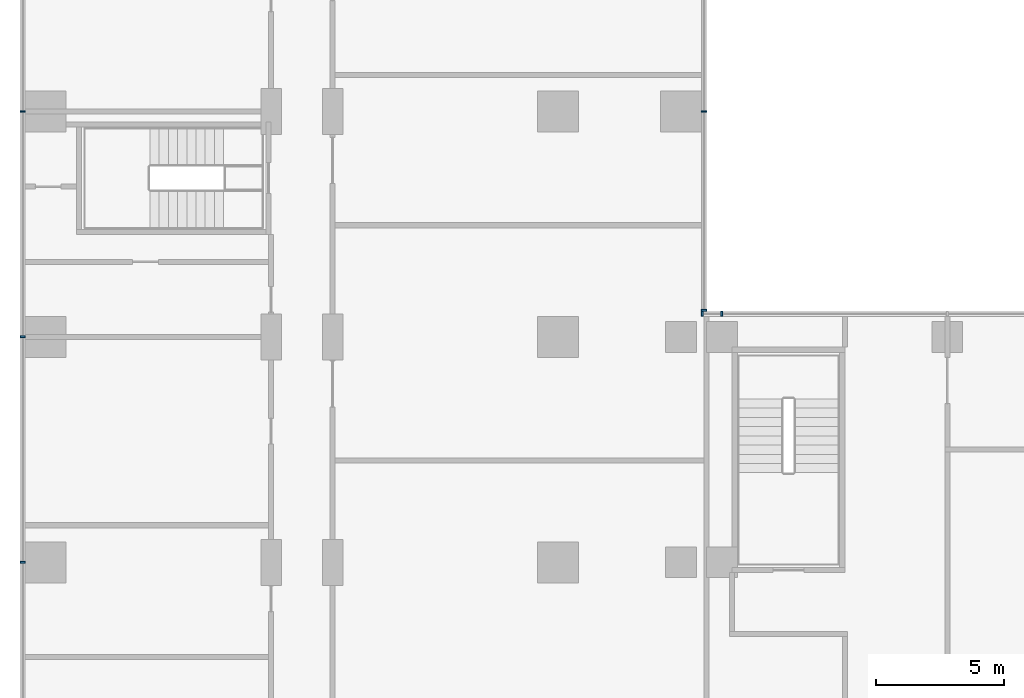
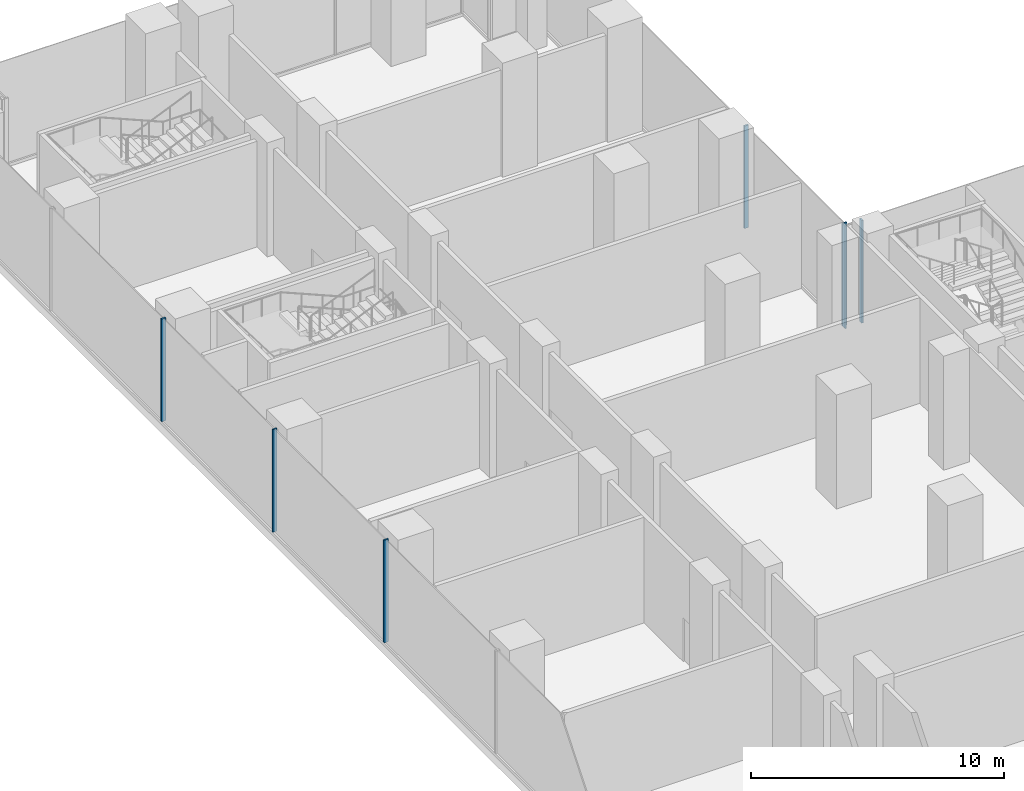
# One storey, part 7 of 30: 7 members, 3 elements without a shape of their own.
"""IFC4 building model written with IfcOpenShell, lengths in metres."""

from ifc_helpers import new_model, si_unit, direction, frame, origin, origin_2d, place, context, subcontext, project, spatial, rectangle, extrude, source, transform, mapped, material, material_profile, profile_set, type_object, element, aggregate, save


model = new_model("IFC4")

# Units and contexts
model_context = context("Model", 3, precision=1e-05, world=origin(), true_north=direction((0.0, 1.0)))
body_context = subcontext(model_context, "Body", "Model", "MODEL_VIEW")
ifc_project = project(units=[si_unit("LENGTHUNIT", "METRE"), si_unit("AREAUNIT", "SQUARE_METRE"), si_unit("VOLUMEUNIT", "CUBIC_METRE"), si_unit("PLANEANGLEUNIT", "RADIAN"), si_unit("MASSUNIT", "GRAM", prefix="KILO")], contexts=[model_context])

# Site, building, storey
site_placement = place(None, origin())
site = spatial("IfcSite", under=ifc_project, at=site_placement, CompositionType="ELEMENT")
building_placement = place(site_placement, origin())
building = spatial("IfcBuilding", under=site, at=building_placement, Name="Kemantara Hotel Tower", CompositionType="ELEMENT")
storey_placement = place(building_placement, frame((0.0, 0.0, 18.0)))
storey = spatial("IfcBuildingStorey", under=building, at=storey_placement, Name="L03", CompositionType="ELEMENT", Elevation=18.0)

# Curtain wall, members
ifc_material_1 = material(Name="Laminated tinted insulated glass 44 mm", Category="glass")
curtain_wall_type = type_object("IfcCurtainWallType", Name="PODIUM GLASS CURTAIN WALL", PredefinedType="USERDEFINED", material=ifc_material_1)
curtain_wall_1_placement = place(storey_placement, origin())
curtain_wall_1 = element("IfcCurtainWall", 1, at=curtain_wall_1_placement, inside=storey, type_object=curtain_wall_type, Name="CW1 L03 POD-R09-1", ObjectType="PODIUM GLASS CURTAIN WALL", PredefinedType="USERDEFINED")
ifc_material_2 = material(Name="Aluminium 6063-T6 bronze anodised", Category="aluminium")
ifc_material_profile = material_profile(ifc_material_2, rectangle(XDim=0.199951171875, YDim=0.074951171875, at=origin_2d()), Name="PODIUM GLASS CURTAIN WALL MULLION")
ifc_profile_set = profile_set([ifc_material_profile], Name="Aluminium 6063-T6 bronze anodised")
member_type = type_object("IfcMemberType", Name="PODIUM GLASS CURTAIN WALL MULLION", PredefinedType="MULLION", material=ifc_profile_set)
shared_shape = source(origin(), body_context, "Body", "SweptSolid", [
    extrude(rectangle(XDim=0.199951171875, YDim=0.074951171875, at=origin_2d()), origin(), (0.0, 0.0, 1.0), 4.9501953125),
])
member_1_placement = place(storey_placement, frame((27.39990234375, 54.699951171875, 0.14990234375), z_axis=(0.0, 0.0, 1.0), x_axis=(0.0, -1.0, 0.0)))
member_1 = element("IfcMember", 2, at=member_1_placement, type_object=member_type, Name="CW1 mullion POD-R09-1.6", PredefinedType="MULLION", context=body_context, shape_type="MappedRepresentation", body=[
    mapped(shared_shape, transform((0.0, 0.0, 0.0))),
])
member_2_placement = place(storey_placement, frame((26.637451171875, 54.699951171875, 0.14990234375), z_axis=(0.0, 0.0, 1.0), x_axis=(0.0, -1.0, 0.0)))
member_2 = element("IfcMember", 3, at=member_2_placement, type_object=member_type, Name="CW1 mullion POD-R09-1.7", PredefinedType="MULLION", context=body_context, shape_type="MappedRepresentation", body=[
    mapped(shared_shape, transform((0.0, 0.0, 0.0))),
])
aggregate(curtain_wall_1, [member_1, member_2])

curtain_wall_2_placement = place(storey_placement, origin())
curtain_wall_2 = element("IfcCurtainWall", 4, at=curtain_wall_2_placement, inside=storey, type_object=curtain_wall_type, Name="CW1 L03 POD-R10-1", ObjectType="PODIUM GLASS CURTAIN WALL", PredefinedType="USERDEFINED")
member_3_placement = place(storey_placement, frame((26.699951171875, 54.83740234375, 0.14990234375), z_axis=(0.0, 0.0, 1.0), x_axis=(-1.0, 0.0, 0.0)))
member_3 = element("IfcMember", 5, at=member_3_placement, type_object=member_type, Name="CW1 mullion POD-R10-1.1", PredefinedType="MULLION", context=body_context, shape_type="MappedRepresentation", body=[
    mapped(shared_shape, transform((0.0, 0.0, 0.0))),
])
member_4_placement = place(storey_placement, frame((26.699951171875, 62.60009765625, 0.14990234375), z_axis=(0.0, 0.0, 1.0), x_axis=(-1.0, 0.0, 0.0)))
member_4 = element("IfcMember", 6, at=member_4_placement, type_object=member_type, Name="CW1 mullion POD-R10-1.2", PredefinedType="MULLION", context=body_context, shape_type="MappedRepresentation", body=[
    mapped(shared_shape, transform((0.0, 0.0, 0.0))),
])
aggregate(curtain_wall_2, [member_3, member_4])

curtain_wall_3_placement = place(storey_placement, origin())
curtain_wall_3 = element("IfcCurtainWall", 7, at=curtain_wall_3_placement, inside=storey, type_object=curtain_wall_type, Name="CW1 L03 POD-R16-1", ObjectType="PODIUM GLASS CURTAIN WALL", PredefinedType="USERDEFINED")
member_5_placement = place(storey_placement, frame((0.10009765625, 62.60009765625, 0.14990234375), z_axis=(0.0, 0.0, 1.0), x_axis=(1.0, 0.0, 0.0)))
member_5 = element("IfcMember", 8, at=member_5_placement, type_object=member_type, Name="CW1 mullion POD-R16-1.3", PredefinedType="MULLION", context=body_context, shape_type="MappedRepresentation", body=[
    mapped(shared_shape, transform((0.0, 0.0, 0.0))),
])
member_6_placement = place(storey_placement, frame((0.10009765625, 53.800048828125, 0.14990234375), z_axis=(0.0, 0.0, 1.0), x_axis=(1.0, 0.0, 0.0)))
member_6 = element("IfcMember", 9, at=member_6_placement, type_object=member_type, Name="CW1 mullion POD-R16-1.4", PredefinedType="MULLION", context=body_context, shape_type="MappedRepresentation", body=[
    mapped(shared_shape, transform((0.0, 0.0, 0.0))),
])
member_7_placement = place(storey_placement, frame((0.10009765625, 45.0, 0.14990234375), z_axis=(0.0, 0.0, 1.0), x_axis=(1.0, 0.0, 0.0)))
member_7 = element("IfcMember", 10, at=member_7_placement, type_object=member_type, Name="CW1 mullion POD-R16-1.5", PredefinedType="MULLION", context=body_context, shape_type="MappedRepresentation", body=[
    mapped(shared_shape, transform((0.0, 0.0, 0.0))),
])
aggregate(curtain_wall_3, [member_5, member_6, member_7])

save(model, "model.ifc")
